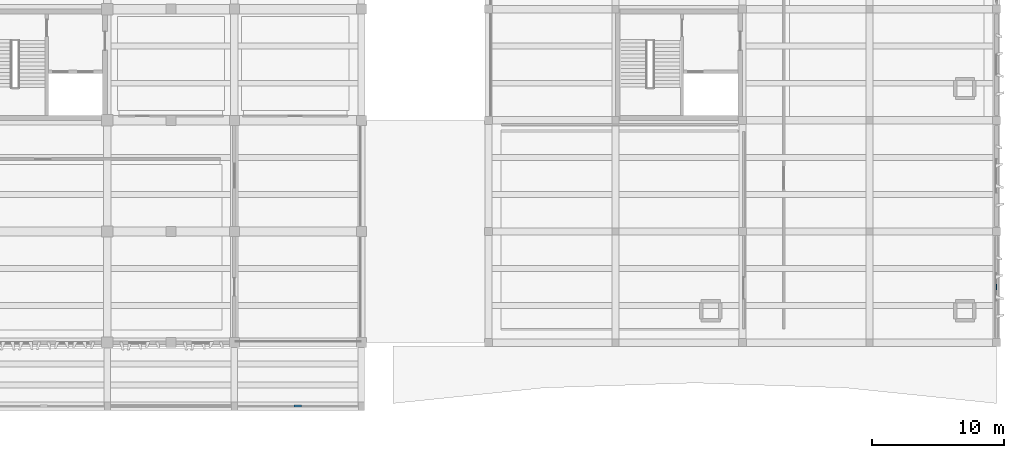
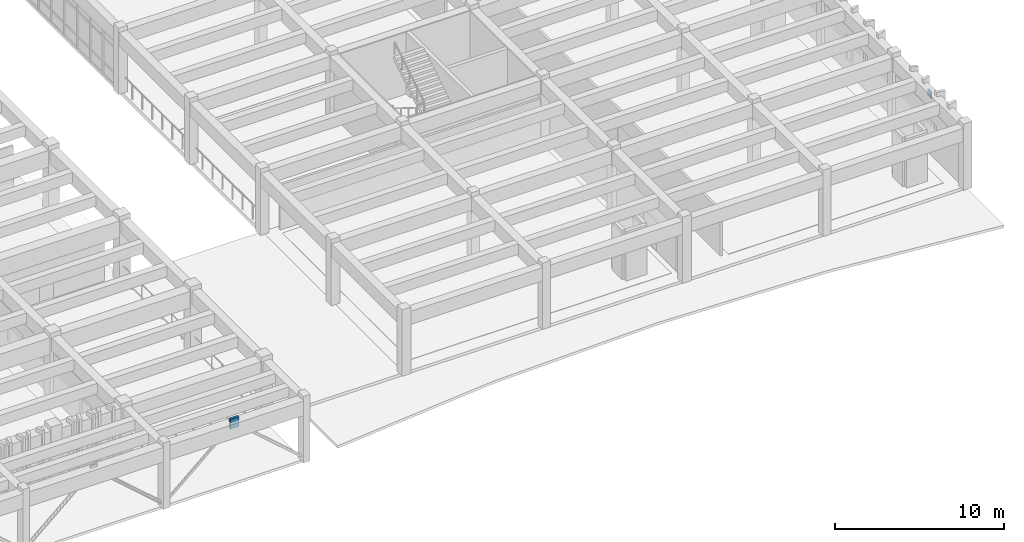
# One storey, part 61 of 86: 2 plates.
"""IFC4 building model written with IfcOpenShell, lengths in metres."""

from ifc_helpers import new_model, si_unit, direction, frame, origin, origin_2d, place, context, subcontext, project, spatial, rectangle, extrude, material, layer, layer_set, type_object, element, save


model = new_model("IFC4")

# Units and contexts
model_context = context("Model", 3, precision=1e-05, world=origin(), true_north=direction((0.0, 1.0)))
body_context = subcontext(model_context, "Body", "Model", "MODEL_VIEW")
ifc_project = project(units=[si_unit("LENGTHUNIT", "METRE"), si_unit("AREAUNIT", "SQUARE_METRE"), si_unit("VOLUMEUNIT", "CUBIC_METRE"), si_unit("PLANEANGLEUNIT", "RADIAN"), si_unit("MASSUNIT", "GRAM", prefix="KILO")], contexts=[model_context])

# Site, building, storey
site_placement = place(None, origin())
site = spatial("IfcSite", under=ifc_project, at=site_placement, CompositionType="ELEMENT")
building_placement = place(site_placement, origin())
building = spatial("IfcBuilding", under=site, at=building_placement, Name="Kolvemor Railside Polytechnic", CompositionType="ELEMENT")
storey_placement = place(building_placement, frame((0.0, 0.0, 5.39990234375)))
storey = spatial("IfcBuildingStorey", under=building, at=storey_placement, Name="L01", CompositionType="ELEMENT", Elevation=5.39990234375)

# Plates
ifc_material_1 = material(Name="Steel S355", Category="steel")
ifc_layer_1 = layer(ifc_material_1, 0.16796875, Name="PLT-GUSSET-16")
ifc_layer_set_1 = layer_set([ifc_layer_1], Name="Steel S355")
plate_type_1 = type_object("IfcPlateType", Name="PLT-GUSSET-16", PredefinedType="USERDEFINED", material=ifc_layer_set_1)
plate_1_placement = place(storey_placement, frame((129.60009765625, 0.0, 3.99609375), z_axis=(0.0, 0.0, 1.0), x_axis=(1.0, 0.0, 0.0)))
element("IfcPlate", 1, at=plate_1_placement, inside=storey, type_object=plate_type_1, Name="Brace Chevron Gusset Plate GP-BR16", ObjectType="GUSSET PLATE", PredefinedType="USERDEFINED", context=body_context, shape_type="SweptSolid", body=[
    extrude(rectangle(XDim=0.580078125, YDim=0.16796875, at=origin_2d()), origin(), (0.0, 0.0, 1.0), 0.7080078125),
])
ifc_material_2 = material(Name="Steel S355", Category="steel")
ifc_layer_2 = layer(ifc_material_2, 0.05810546875, Name="PLT-GUSSET-5")
ifc_layer_set_2 = layer_set([ifc_layer_2], Name="Steel S355")
plate_type_2 = type_object("IfcPlateType", Name="PLT-GUSSET-5", PredefinedType="USERDEFINED", material=ifc_layer_set_2)
plate_2_placement = place(storey_placement, frame((182.39990234375, 9.0, 3.92529296875), z_axis=(0.0, 0.0, 1.0), x_axis=(0.0, 1.0, 0.0)))
element("IfcPlate", 2, at=plate_2_placement, inside=storey, type_object=plate_type_2, Name="Brace Chevron Gusset Plate GP-BR21", ObjectType="GUSSET PLATE", PredefinedType="USERDEFINED", context=body_context, shape_type="SweptSolid", body=[
    extrude(rectangle(XDim=0.4150390625, YDim=0.05810546875, at=origin_2d()), origin(), (0.0, 0.0, 1.0), 0.510009765625),
])

save(model, "model.ifc")
